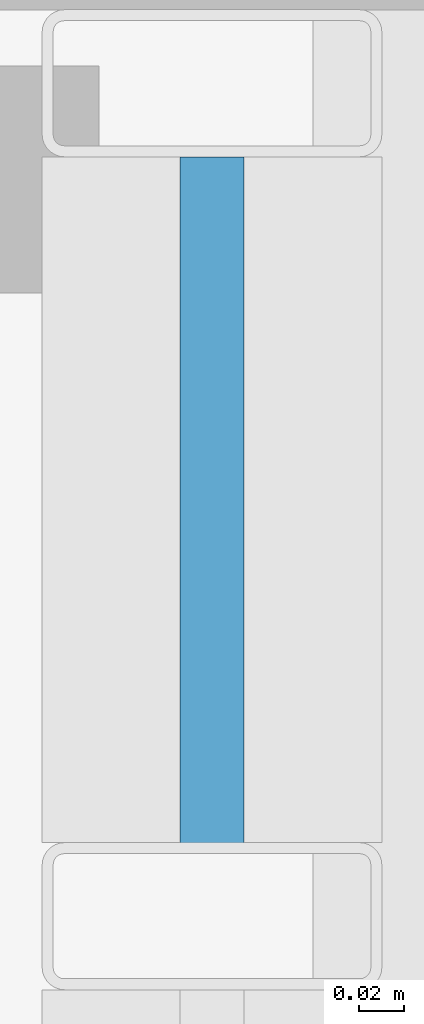
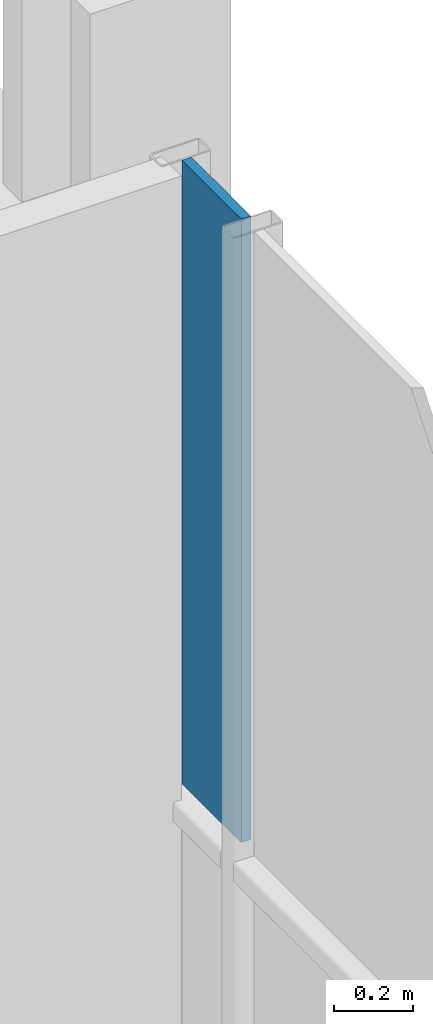
# One storey, part 28 of 41: 1 plate, 1 element without a shape of its own.
"""IFC4 building model written with IfcOpenShell, lengths in metres."""

from ifc_helpers import new_model, si_unit, direction, frame, origin, origin_2d, place, context, subcontext, project, spatial, rectangle, extrude, material, layer, layer_set, type_object, element, aggregate, save


model = new_model("IFC4")

# Units and contexts
model_context = context("Model", 3, precision=1e-05, world=origin(), true_north=direction((0.0, 1.0)))
body_context = subcontext(model_context, "Body", "Model", "MODEL_VIEW")
ifc_project = project(units=[si_unit("LENGTHUNIT", "METRE"), si_unit("AREAUNIT", "SQUARE_METRE"), si_unit("VOLUMEUNIT", "CUBIC_METRE"), si_unit("PLANEANGLEUNIT", "RADIAN"), si_unit("MASSUNIT", "GRAM", prefix="KILO")], contexts=[model_context])

# Site, building, storey
site_placement = place(None, origin())
site = spatial("IfcSite", under=ifc_project, at=site_placement, CompositionType="ELEMENT")
building_placement = place(site_placement, origin())
building = spatial("IfcBuilding", under=site, at=building_placement, Name="Brevholm Reach", CompositionType="ELEMENT")
storey_placement = place(building_placement, frame((0.0, 0.0, 43.5)))
storey = spatial("IfcBuildingStorey", under=building, at=storey_placement, Name="L11", CompositionType="ELEMENT", Elevation=43.5)

# Curtain wall, plate
ifc_material_1 = material(Name="Dark Anodised Aluminium 6063-T6 and Solar-Control Glass", Category="aluminium")
ifc_layer_1 = layer(ifc_material_1, 0.14990234375)
ifc_layer_set_1 = layer_set([ifc_layer_1], Name="Dark Anodised Aluminium 6063-T6 and Solar-Control Glass")
curtain_wall_type = type_object("IfcCurtainWallType", Name="CW-01", PredefinedType="NOTDEFINED", material=ifc_layer_set_1)
curtain_wall_placement = place(storey_placement, origin())
curtain_wall = element("IfcCurtainWall", 1, at=curtain_wall_placement, inside=storey, type_object=curtain_wall_type, Name="L11 Curtain Wall CW-01", PredefinedType="NOTDEFINED")
ifc_material_2 = material(Name="Dark Solar-Control Double-Glazed IGU Glass", Category="glass")
ifc_layer_2 = layer(ifc_material_2, 0.028076171875)
ifc_layer_set_2 = layer_set([ifc_layer_2], Name="Dark Solar-Control Double-Glazed IGU Glass")
plate_type = type_object("IfcPlateType", Name="CWP-GLZ-28", PredefinedType="CURTAIN_PANEL", material=ifc_layer_set_2)
plate_placement = place(storey_placement, frame((59.85009765625, 22.733642578125, 0.9326171875), z_axis=(0.0, 0.0, 1.0), x_axis=(0.0, 1.0, 0.0)))
plate = element("IfcPlate", 2, at=plate_placement, type_object=plate_type, Name="CP-01 Glazing Panel 5.2", PredefinedType="CURTAIN_PANEL", context=body_context, shape_type="SweptSolid", body=[
    extrude(rectangle(XDim=0.302490234375, YDim=0.028076171875, at=origin_2d()), origin(), (0.0, 0.0, 1.0), 1.9375),
])
aggregate(curtain_wall, [plate])

save(model, "model.ifc")
